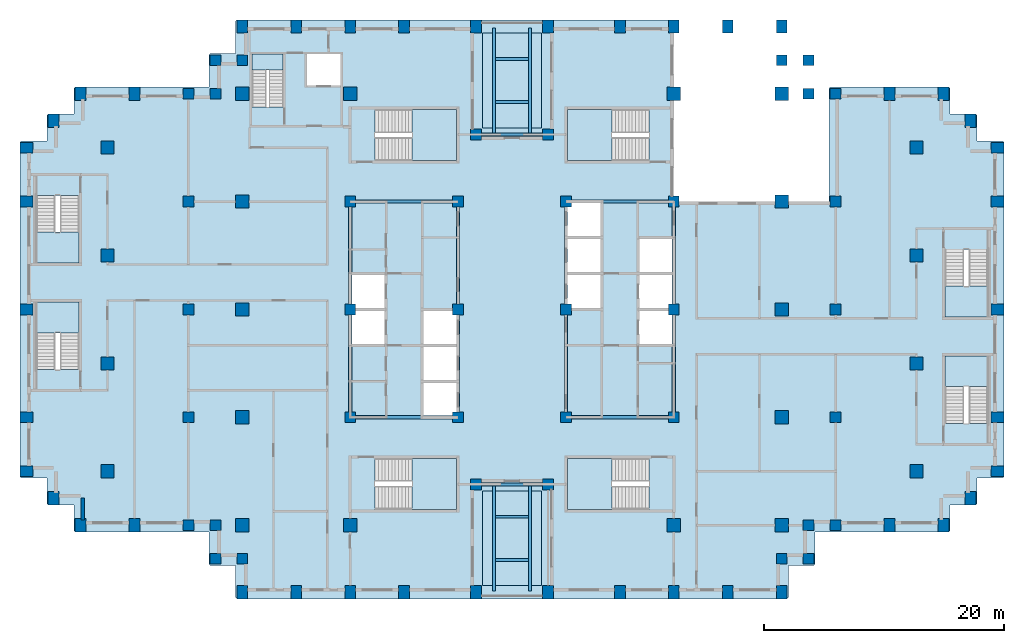
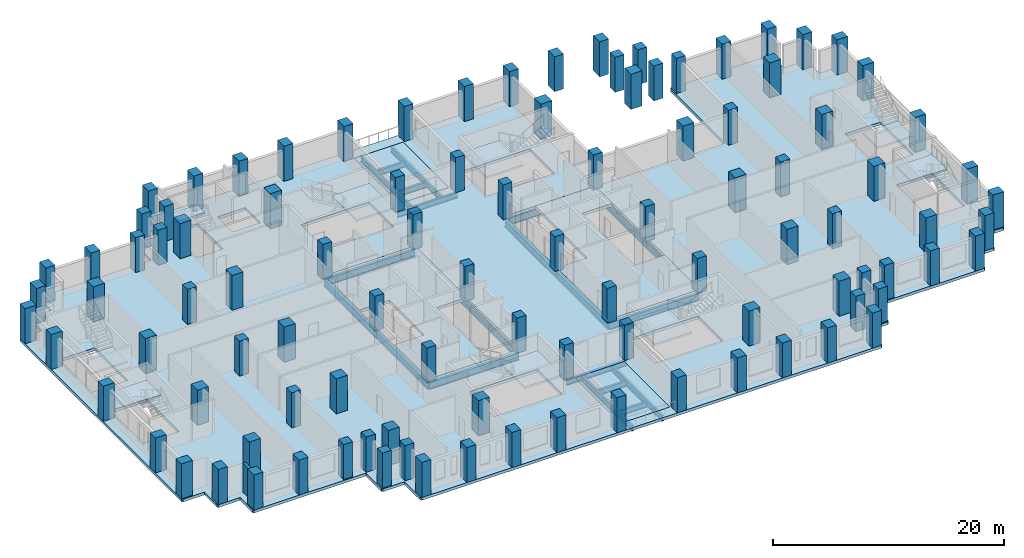
# One storey, part 1 of 12: 102 columns, 22 beams, 14 slabs, 1 wall, 9 elements without a shape of their own.
"""IFC4 building model written with IfcOpenShell, lengths in metres."""

from ifc_helpers import new_model, si_unit, direction, frame, frame_2d, origin, origin_2d, place, context, subcontext, project, spatial, polyline, rectangle, i_section, outline, extrude, material, layer, layer_set, material_profile, profile_set, type_object, element, aggregate, save


model = new_model("IFC4")

# Units and contexts
model_context = context("Model", 3, precision=1e-05, world=origin(), true_north=direction((0.0, 1.0)))
body_context = subcontext(model_context, "Body", "Model", "MODEL_VIEW")
ifc_project = project(units=[si_unit("LENGTHUNIT", "METRE"), si_unit("AREAUNIT", "SQUARE_METRE"), si_unit("VOLUMEUNIT", "CUBIC_METRE"), si_unit("PLANEANGLEUNIT", "RADIAN"), si_unit("MASSUNIT", "GRAM", prefix="KILO")], contexts=[model_context])

# Site, building, storey
site_placement = place(None, origin())
site = spatial("IfcSite", under=ifc_project, at=site_placement, CompositionType="ELEMENT")
building_placement = place(site_placement, origin())
building = spatial("IfcBuilding", under=site, at=building_placement, Name="Corbelhall Arena Tower", CompositionType="ELEMENT")
storey_placement = place(building_placement, frame((0.0, 0.0, 126.0)))
storey = spatial("IfcBuildingStorey", under=building, at=storey_placement, Name="L23", CompositionType="ELEMENT", Elevation=126.0)

# Columns
ifc_material_1 = material(Name="Concrete C80/95", Category="concrete")
ifc_material_profile_1 = material_profile(ifc_material_1, rectangle(XDim=1.10009765625, YDim=1.10009765625, at=origin_2d()))
ifc_profile_set_1 = profile_set([ifc_material_profile_1], Name="Concrete C80/95")
column_type_1 = type_object("IfcColumnType", Name="ST-COL-RC 1100x1100", PredefinedType="COLUMN", material=ifc_profile_set_1)
for number, where, z_axis, x_axis, name in (
    (1, (-33.75, 4.5, 0.0), (0.0, 0.0, 1.0), (1.0, 0.0, 0.0), "Column FIC+0450"),
    (2, (-33.75, 13.5, 0.0), (0.0, 0.0, 1.0), (1.0, 0.0, 0.0), "Column FIC+1350"),
    (3, (-33.75, -4.5, 0.0), (0.0, 0.0, 1.0), (1.0, 0.0, 0.0), "Column FIC-0450"),
    (4, (-33.75, -13.5, 0.0), (0.0, 0.0, 1.0), (1.0, 0.0, 0.0), "Column FIC-1350"),
    (5, (33.75, 4.5, 0.0), (0.0, 0.0, 1.0), (1.0, 0.0, 0.0), "Column FID+0450"),
    (6, (33.75, 13.5, 0.0), (0.0, 0.0, 1.0), (1.0, 0.0, 0.0), "Column FID+1350"),
    (7, (33.75, -4.5, 0.0), (0.0, 0.0, 1.0), (1.0, 0.0, 0.0), "Column FID-0450"),
    (8, (33.75, -13.5, 0.0), (0.0, 0.0, 1.0), (1.0, 0.0, 0.0), "Column FID-1350"),
    (9, (13.5, 18.0, 0.0), (0.0, 0.0, 1.0), (1.0, 0.0, 0.0), "Column IE13+1800"),
    (10, (13.5, -18.0, 0.0), (0.0, 0.0, 1.0), (1.0, 0.0, 0.0), "Column IE13-1800"),
    (11, (22.5, 0.0, 0.0), (0.0, 0.0, 1.0), (1.0, 0.0, 0.0), "Column IE22+0000"),
    (12, (22.5, 9.0, 0.0), (0.0, 0.0, 1.0), (1.0, 0.0, 0.0), "Column IE22+0900"),
    (13, (22.5, 18.0, 0.0), (0.0, 0.0, 1.0), (1.0, 0.0, 0.0), "Column IE22+1800"),
    (14, (22.5, -9.0, 0.0), (0.0, 0.0, 1.0), (1.0, 0.0, 0.0), "Column IE22-0900"),
    (15, (22.5, -18.0, 0.0), (0.0, 0.0, 1.0), (1.0, 0.0, 0.0), "Column IE22-1800"),
    (16, (-13.5, 18.0, 0.0), (0.0, 0.0, 1.0), (1.0, 0.0, 0.0), "Column IW13+1800"),
    (17, (-13.5, -18.0, 0.0), (0.0, 0.0, 1.0), (1.0, 0.0, 0.0), "Column IW13-1800"),
    (18, (-22.5, 0.0, 0.0), (0.0, 0.0, 1.0), (1.0, 0.0, 0.0), "Column IW22+0000"),
    (19, (-22.5, 9.0, 0.0), (0.0, 0.0, 1.0), (1.0, 0.0, 0.0), "Column IW22+0900"),
    (20, (-22.5, 18.0, 0.0), (0.0, 0.0, 1.0), (1.0, 0.0, 0.0), "Column IW22+1800"),
    (21, (-22.5, -9.0, 0.0), (0.0, 0.0, 1.0), (1.0, 0.0, 0.0), "Column IW22-0900"),
    (22, (-22.5, -18.0, 0.0), (0.0, 0.0, 1.0), (1.0, 0.0, 0.0), "Column IW22-1800"),
):
    element("IfcColumn", number, at=place(storey_placement, frame(where, z_axis=z_axis, x_axis=x_axis)), inside=storey, type_object=column_type_1, Name=name, PredefinedType="COLUMN", context=body_context, shape_type="SweptSolid", body=[
        extrude(rectangle(XDim=1.10009765625, YDim=1.10009765625, at=origin_2d()), origin(), (0.0, 0.0, 1.0), 3.699951171875),
    ])
ifc_material_profile_2 = material_profile(ifc_material_1, rectangle(XDim=0.89990234375, YDim=1.10009765625, at=origin_2d()))
ifc_profile_set_2 = profile_set([ifc_material_profile_2], Name="Concrete C80/95")
column_type_2 = type_object("IfcColumnType", Name="ST-COL-RC 900x1100", PredefinedType="COLUMN", material=ifc_profile_set_2)
for number, where, z_axis, x_axis, name in (
    (23, (-40.5, 0.0, 0.0), (0.0, 0.0, 1.0), (0.0, 1.0, 0.0), "Column FC+0000"),
    (24, (-40.5, 9.0, 0.0), (0.0, 0.0, 1.0), (0.0, 1.0, 0.0), "Column FC+0900"),
    (25, (-40.5, 13.5, 0.0), (0.0, 0.0, 1.0), (0.0, 1.0, 0.0), "Column FC+1350"),
    (26, (-40.5, -9.0, 0.0), (0.0, 0.0, 1.0), (0.0, 1.0, 0.0), "Column FC-0900"),
    (27, (-40.5, -13.5, 0.0), (0.0, 0.0, 1.0), (0.0, 1.0, 0.0), "Column FC-1350"),
    (28, (-38.25, 15.75, 0.0), (0.0, 0.0, 1.0), (1.0, 0.0, 0.0), "Column FCCN"),
    (29, (-38.25, -15.75, 0.0), (0.0, 0.0, 1.0), (1.0, 0.0, 0.0), "Column FCCS"),
    (30, (-31.5, 18.0, 0.0), (0.0, 0.0, 1.0), (1.0, 0.0, 0.0), "Column FCN3150"),
    (31, (-36.0, 18.0, 0.0), (0.0, 0.0, 1.0), (1.0, 0.0, 0.0), "Column FCN3600"),
    (32, (-31.5, -18.0, 0.0), (0.0, 0.0, 1.0), (1.0, 0.0, 0.0), "Column FCS3150"),
    (33, (-36.0, -18.0, 0.0), (0.0, 0.0, 1.0), (1.0, 0.0, 0.0), "Column FCS3600"),
    (34, (40.5, 0.0, 0.0), (0.0, 0.0, 1.0), (0.0, 1.0, 0.0), "Column FD+0000"),
    (35, (40.5, 9.0, 0.0), (0.0, 0.0, 1.0), (0.0, 1.0, 0.0), "Column FD+0900"),
    (36, (40.5, 13.5, 0.0), (0.0, 0.0, 1.0), (0.0, 1.0, 0.0), "Column FD+1350"),
    (37, (40.5, -9.0, 0.0), (0.0, 0.0, 1.0), (0.0, 1.0, 0.0), "Column FD-0900"),
    (38, (40.5, -13.5, 0.0), (0.0, 0.0, 1.0), (0.0, 1.0, 0.0), "Column FD-1350"),
    (39, (38.25, 15.75, 0.0), (0.0, 0.0, 1.0), (1.0, 0.0, 0.0), "Column FDCN"),
    (40, (38.25, -15.75, 0.0), (0.0, 0.0, 1.0), (1.0, 0.0, 0.0), "Column FDCS"),
    (41, (31.5, 18.0, 0.0), (0.0, 0.0, 1.0), (1.0, 0.0, 0.0), "Column FDN3150"),
    (42, (36.0, 18.0, 0.0), (0.0, 0.0, 1.0), (1.0, 0.0, 0.0), "Column FDN3600"),
    (43, (31.5, -18.0, 0.0), (0.0, 0.0, 1.0), (1.0, 0.0, 0.0), "Column FDS3150"),
    (44, (36.0, -18.0, 0.0), (0.0, 0.0, 1.0), (1.0, 0.0, 0.0), "Column FDS3600"),
    (45, (3.0, 23.60009765625, 0.0), (0.0, 0.0, 1.0), (1.0, 0.0, 0.0), "Column PNE0300"),
    (46, (9.0, 23.60009765625, 0.0), (0.0, 0.0, 1.0), (1.0, 0.0, 0.0), "Column PNE0900"),
    (47, (13.5, 23.60009765625, 0.0), (0.0, 0.0, 1.0), (1.0, 0.0, 0.0), "Column PNE1350"),
    (48, (18.0, 23.60009765625, 0.0), (0.0, 0.0, 1.0), (1.0, 0.0, 0.0), "Column PNE1800"),
    (49, (22.5, 23.60009765625, 0.0), (0.0, 0.0, 1.0), (1.0, 0.0, 0.0), "Column PNE2250"),
    (50, (-3.0, 23.60009765625, 0.0), (0.0, 0.0, 1.0), (1.0, 0.0, 0.0), "Column PNW0300"),
    (51, (-9.0, 23.60009765625, 0.0), (0.0, 0.0, 1.0), (1.0, 0.0, 0.0), "Column PNW0900"),
    (52, (-13.5, 23.60009765625, 0.0), (0.0, 0.0, 1.0), (1.0, 0.0, 0.0), "Column PNW1350"),
    (53, (-18.0, 23.60009765625, 0.0), (0.0, 0.0, 1.0), (1.0, 0.0, 0.0), "Column PNW1800"),
    (54, (-22.5, 23.60009765625, 0.0), (0.0, 0.0, 1.0), (1.0, 0.0, 0.0), "Column PNW2250"),
    (55, (3.0, -23.60009765625, 0.0), (0.0, 0.0, 1.0), (1.0, 0.0, 0.0), "Column PSE0300"),
    (56, (9.0, -23.60009765625, 0.0), (0.0, 0.0, 1.0), (1.0, 0.0, 0.0), "Column PSE0900"),
    (57, (13.5, -23.60009765625, 0.0), (0.0, 0.0, 1.0), (1.0, 0.0, 0.0), "Column PSE1350"),
    (58, (18.0, -23.60009765625, 0.0), (0.0, 0.0, 1.0), (1.0, 0.0, 0.0), "Column PSE1800"),
    (59, (22.5, -23.60009765625, 0.0), (0.0, 0.0, 1.0), (1.0, 0.0, 0.0), "Column PSE2250"),
    (60, (-3.0, -23.60009765625, 0.0), (0.0, 0.0, 1.0), (1.0, 0.0, 0.0), "Column PSW0300"),
    (61, (-9.0, -23.60009765625, 0.0), (0.0, 0.0, 1.0), (1.0, 0.0, 0.0), "Column PSW0900"),
    (62, (-13.5, -23.60009765625, 0.0), (0.0, 0.0, 1.0), (1.0, 0.0, 0.0), "Column PSW1350"),
    (63, (-18.0, -23.60009765625, 0.0), (0.0, 0.0, 1.0), (1.0, 0.0, 0.0), "Column PSW1800"),
    (64, (-22.5, -23.60009765625, 0.0), (0.0, 0.0, 1.0), (1.0, 0.0, 0.0), "Column PSW2250"),
):
    element("IfcColumn", number, at=place(storey_placement, frame(where, z_axis=z_axis, x_axis=x_axis)), inside=storey, type_object=column_type_2, Name=name, PredefinedType="COLUMN", context=body_context, shape_type="SweptSolid", body=[
        extrude(rectangle(XDim=0.89990234375, YDim=1.10009765625, at=origin_2d()), origin(), (0.0, 0.0, 1.0), 3.699951171875),
    ])
ifc_material_profile_3 = material_profile(ifc_material_1, rectangle(XDim=0.89990234375, YDim=0.89990234375, at=origin_2d()))
ifc_profile_set_3 = profile_set([ifc_material_profile_3], Name="Concrete C80/95")
column_type_3 = type_object("IfcColumnType", Name="ST-COL-RC 900x900", PredefinedType="COLUMN", material=ifc_profile_set_3)
for number, where, z_axis, x_axis, name in (
    (65, (4.5, 0.0, 0.0), (0.0, 0.0, 1.0), (1.0, 0.0, 0.0), "Column KE+0450+0000"),
    (66, (4.5, 9.0, 0.0), (0.0, 0.0, 1.0), (1.0, 0.0, 0.0), "Column KE+0450+0900"),
    (67, (4.5, -9.0, 0.0), (0.0, 0.0, 1.0), (1.0, 0.0, 0.0), "Column KE+0450-0900"),
    (68, (13.5, 0.0, 0.0), (0.0, 0.0, 1.0), (1.0, 0.0, 0.0), "Column KE+1350+0000"),
    (69, (13.5, 9.0, 0.0), (0.0, 0.0, 1.0), (1.0, 0.0, 0.0), "Column KE+1350+0900"),
    (70, (13.5, -9.0, 0.0), (0.0, 0.0, 1.0), (1.0, 0.0, 0.0), "Column KE+1350-0900"),
    (71, (-4.5, 0.0, 0.0), (0.0, 0.0, 1.0), (1.0, 0.0, 0.0), "Column KW-0450+0000"),
    (72, (-4.5, 9.0, 0.0), (0.0, 0.0, 1.0), (1.0, 0.0, 0.0), "Column KW-0450+0900"),
    (73, (-4.5, -9.0, 0.0), (0.0, 0.0, 1.0), (1.0, 0.0, 0.0), "Column KW-0450-0900"),
    (74, (-13.5, 0.0, 0.0), (0.0, 0.0, 1.0), (1.0, 0.0, 0.0), "Column KW-1350+0000"),
    (75, (-13.5, 9.0, 0.0), (0.0, 0.0, 1.0), (1.0, 0.0, 0.0), "Column KW-1350+0900"),
    (76, (-13.5, -9.0, 0.0), (0.0, 0.0, 1.0), (1.0, 0.0, 0.0), "Column KW-1350-0900"),
    (77, (27.0, 0.0, 0.0), (0.0, 0.0, 1.0), (1.0, 0.0, 0.0), "Column PE+0000"),
    (78, (27.0, 9.0, 0.0), (0.0, 0.0, 1.0), (1.0, 0.0, 0.0), "Column PE+0900"),
    (79, (27.0, 18.0, 0.0), (0.0, 0.0, 1.0), (1.0, 0.0, 0.0), "Column PE+1800"),
    (80, (27.0, -9.0, 0.0), (0.0, 0.0, 1.0), (1.0, 0.0, 0.0), "Column PE-0900"),
    (81, (27.0, -18.0, 0.0), (0.0, 0.0, 1.0), (1.0, 0.0, 0.0), "Column PE-1800"),
    (82, (-27.0, 0.0, 0.0), (0.0, 0.0, 1.0), (1.0, 0.0, 0.0), "Column PW+0000"),
    (83, (-27.0, 9.0, 0.0), (0.0, 0.0, 1.0), (1.0, 0.0, 0.0), "Column PW+0900"),
    (84, (-27.0, 18.0, 0.0), (0.0, 0.0, 1.0), (1.0, 0.0, 0.0), "Column PW+1800"),
    (85, (-27.0, -9.0, 0.0), (0.0, 0.0, 1.0), (1.0, 0.0, 0.0), "Column PW-0900"),
    (86, (-27.0, -18.0, 0.0), (0.0, 0.0, 1.0), (1.0, 0.0, 0.0), "Column PW-1800"),
    (87, (3.0, 14.60009765625, 0.0), (0.0, 0.0, 1.0), (1.0, 0.0, 0.0), "Column SLNE2"),
    (88, (-3.0, 14.60009765625, 0.0), (0.0, 0.0, 1.0), (1.0, 0.0, 0.0), "Column SLNW2"),
    (89, (3.0, -14.60009765625, 0.0), (0.0, 0.0, 1.0), (1.0, 0.0, 0.0), "Column SLSE2"),
    (90, (-3.0, -14.60009765625, 0.0), (0.0, 0.0, 1.0), (1.0, 0.0, 0.0), "Column SLSW2"),
    (91, (22.5, 20.800048828125, 0.0), (0.0, 0.0, 1.0), (1.0, 0.0, 0.0), "Column XNE1"),
    (92, (24.75, 20.800048828125, 0.0), (0.0, 0.0, 1.0), (1.0, 0.0, 0.0), "Column XNE2"),
    (93, (24.75, 18.0, 0.0), (0.0, 0.0, 1.0), (1.0, 0.0, 0.0), "Column XNE3"),
    (94, (-22.5, 20.800048828125, 0.0), (0.0, 0.0, 1.0), (1.0, 0.0, 0.0), "Column XNW1"),
    (95, (-24.75, 20.800048828125, 0.0), (0.0, 0.0, 1.0), (1.0, 0.0, 0.0), "Column XNW2"),
    (96, (-24.75, 18.0, 0.0), (0.0, 0.0, 1.0), (1.0, 0.0, 0.0), "Column XNW3"),
    (97, (22.5, -20.800048828125, 0.0), (0.0, 0.0, 1.0), (1.0, 0.0, 0.0), "Column XSE1"),
    (98, (24.75, -20.800048828125, 0.0), (0.0, 0.0, 1.0), (1.0, 0.0, 0.0), "Column XSE2"),
    (99, (24.75, -18.0, 0.0), (0.0, 0.0, 1.0), (1.0, 0.0, 0.0), "Column XSE3"),
    (100, (-22.5, -20.800048828125, 0.0), (0.0, 0.0, 1.0), (1.0, 0.0, 0.0), "Column XSW1"),
    (101, (-24.75, -20.800048828125, 0.0), (0.0, 0.0, 1.0), (1.0, 0.0, 0.0), "Column XSW2"),
    (102, (-24.75, -18.0, 0.0), (0.0, 0.0, 1.0), (1.0, 0.0, 0.0), "Column XSW3"),
):
    element("IfcColumn", number, at=place(storey_placement, frame(where, z_axis=z_axis, x_axis=x_axis)), inside=storey, type_object=column_type_3, Name=name, PredefinedType="COLUMN", context=body_context, shape_type="SweptSolid", body=[
        extrude(rectangle(XDim=0.89990234375, YDim=0.89990234375, at=origin_2d()), origin(), (0.0, 0.0, 1.0), 3.699951171875),
    ])

# Beams
ifc_material_2 = material(Name="Steel ASTM A992 Gr50", Category="steel")
ifc_material_profile_4 = material_profile(ifc_material_2, i_section(OverallWidth=0.22900390625, OverallDepth=0.612060546875, WebThickness=0.011962890625, FlangeThickness=0.01953125, at=origin_2d()))
ifc_profile_set_4 = profile_set([ifc_material_profile_4], Name="Steel ASTM A992 Gr50")
beam_type_1 = type_object("IfcBeamType", Name="ST-BEAM-W24x84", PredefinedType="BEAM", material=ifc_profile_set_4)
beam_1_placement = place(storey_placement, frame((-3.0, 14.60009765625, -0.60595703125), z_axis=(1.0, 0.0, 0.0), x_axis=(0.0, 1.0, 0.0)))
element("IfcBeam", 103, at=beam_1_placement, inside=storey, type_object=beam_type_1, Name="Beam SFN 1", PredefinedType="BEAM", context=body_context, shape_type="SweptSolid", body=[
    extrude(i_section(OverallWidth=0.22900390625, OverallDepth=0.612060546875, WebThickness=0.011962890625, FlangeThickness=0.01953125, at=origin_2d()), origin(), (0.0, 0.0, 1.0), 6.0),
])
for number, where, z_axis, x_axis, name in (
    (104, (-1.5, 14.714599609375, -0.60595703125), (0.0, 1.0, 0.0), (-1.0, 0.0, 0.0), "Beam SFN 2"),
    (105, (1.5, 14.714599609375, -0.60595703125), (0.0, 1.0, 0.0), (-1.0, 0.0, 0.0), "Beam SFN 3"),
):
    element("IfcBeam", number, at=place(storey_placement, frame(where, z_axis=z_axis, x_axis=x_axis)), inside=storey, type_object=beam_type_1, Name=name, PredefinedType="BEAM", context=body_context, shape_type="SweptSolid", body=[
        extrude(i_section(OverallWidth=0.22900390625, OverallDepth=0.612060546875, WebThickness=0.011962890625, FlangeThickness=0.01953125, at=origin_2d()), origin(), (0.0, 0.0, 1.0), 8.770751953125),
    ])
for number, where, z_axis, x_axis, name in (
    (106, (-1.385498046875, 17.300048828125, -0.60595703125), (1.0, 0.0, 0.0), (0.0, 1.0, 0.0), "Beam SFN 4"),
    (107, (-1.385498046875, 20.89990234375, -0.60595703125), (1.0, 0.0, 0.0), (0.0, 1.0, 0.0), "Beam SFN 5"),
):
    element("IfcBeam", number, at=place(storey_placement, frame(where, z_axis=z_axis, x_axis=x_axis)), inside=storey, type_object=beam_type_1, Name=name, PredefinedType="BEAM", context=body_context, shape_type="SweptSolid", body=[
        extrude(i_section(OverallWidth=0.22900390625, OverallDepth=0.612060546875, WebThickness=0.011962890625, FlangeThickness=0.01953125, at=origin_2d()), origin(), (0.0, 0.0, 1.0), 2.77099609375),
    ])
beam_2_placement = place(storey_placement, frame((-3.0, -14.60009765625, -0.60595703125), z_axis=(1.0, 0.0, 0.0), x_axis=(0.0, 1.0, 0.0)))
element("IfcBeam", 108, at=beam_2_placement, inside=storey, type_object=beam_type_1, Name="Beam SFS 1", PredefinedType="BEAM", context=body_context, shape_type="SweptSolid", body=[
    extrude(i_section(OverallWidth=0.22900390625, OverallDepth=0.612060546875, WebThickness=0.011962890625, FlangeThickness=0.01953125, at=origin_2d()), origin(), (0.0, 0.0, 1.0), 6.0),
])
for number, where, z_axis, x_axis, name in (
    (109, (-1.5, -14.714599609375, -0.60595703125), (0.0, -1.0, 0.0), (1.0, 0.0, 0.0), "Beam SFS 2"),
    (110, (1.5, -14.714599609375, -0.60595703125), (0.0, -1.0, 0.0), (1.0, 0.0, 0.0), "Beam SFS 3"),
):
    element("IfcBeam", number, at=place(storey_placement, frame(where, z_axis=z_axis, x_axis=x_axis)), inside=storey, type_object=beam_type_1, Name=name, PredefinedType="BEAM", context=body_context, shape_type="SweptSolid", body=[
        extrude(i_section(OverallWidth=0.22900390625, OverallDepth=0.612060546875, WebThickness=0.011962890625, FlangeThickness=0.01953125, at=origin_2d()), origin(), (0.0, 0.0, 1.0), 8.770751953125),
    ])
for number, where, z_axis, x_axis, name in (
    (111, (-1.385498046875, -17.300048828125, -0.60595703125), (1.0, 0.0, 0.0), (0.0, 1.0, 0.0), "Beam SFS 4"),
    (112, (-1.385498046875, -20.89990234375, -0.60595703125), (1.0, 0.0, 0.0), (0.0, 1.0, 0.0), "Beam SFS 5"),
):
    element("IfcBeam", number, at=place(storey_placement, frame(where, z_axis=z_axis, x_axis=x_axis)), inside=storey, type_object=beam_type_1, Name=name, PredefinedType="BEAM", context=body_context, shape_type="SweptSolid", body=[
        extrude(i_section(OverallWidth=0.22900390625, OverallDepth=0.612060546875, WebThickness=0.011962890625, FlangeThickness=0.01953125, at=origin_2d()), origin(), (0.0, 0.0, 1.0), 2.77099609375),
    ])
ifc_material_profile_5 = material_profile(ifc_material_2, i_section(OverallWidth=0.2666015625, OverallDepth=0.761962890625, WebThickness=0.014404296875, FlangeThickness=0.021484375, at=origin_2d()))
ifc_profile_set_5 = profile_set([ifc_material_profile_5], Name="Steel ASTM A992 Gr50")
beam_type_2 = type_object("IfcBeamType", Name="ST-BEAM-W30x116", PredefinedType="BEAM", material=ifc_profile_set_5)
for number, where, z_axis, x_axis, name in (
    (113, (-13.5, -9.0, -0.680908203125), (0.0, 1.0, 0.0), (-1.0, 0.0, 0.0), "Beam CEW 1"),
    (114, (-13.5, 0.0, -0.680908203125), (0.0, 1.0, 0.0), (-1.0, 0.0, 0.0), "Beam CEW 2"),
    (115, (-4.5, -9.0, -0.680908203125), (0.0, 1.0, 0.0), (-1.0, 0.0, 0.0), "Beam CEW 3"),
    (116, (-4.5, 0.0, -0.680908203125), (0.0, 1.0, 0.0), (-1.0, 0.0, 0.0), "Beam CEW 4"),
    (117, (-13.5, -9.0, -0.680908203125), (1.0, 0.0, 0.0), (0.0, 1.0, 0.0), "Beam CEW 5"),
    (118, (-13.5, 9.0, -0.680908203125), (1.0, 0.0, 0.0), (0.0, 1.0, 0.0), "Beam CEW 6"),
    (119, (4.5, -9.0, -0.680908203125), (0.0, 1.0, 0.0), (-1.0, 0.0, 0.0), "Beam CEE 7"),
    (120, (4.5, 0.0, -0.680908203125), (0.0, 1.0, 0.0), (-1.0, 0.0, 0.0), "Beam CEE 8"),
    (121, (13.5, -9.0, -0.680908203125), (0.0, 1.0, 0.0), (-1.0, 0.0, 0.0), "Beam CEE 9"),
    (122, (13.5, 0.0, -0.680908203125), (0.0, 1.0, 0.0), (-1.0, 0.0, 0.0), "Beam CEE 10"),
    (123, (4.5, -9.0, -0.680908203125), (1.0, 0.0, 0.0), (0.0, 1.0, 0.0), "Beam CEE 11"),
    (124, (4.5, 9.0, -0.680908203125), (1.0, 0.0, 0.0), (0.0, 1.0, 0.0), "Beam CEE 12"),
):
    element("IfcBeam", number, at=place(storey_placement, frame(where, z_axis=z_axis, x_axis=x_axis)), inside=storey, type_object=beam_type_2, Name=name, PredefinedType="BEAM", context=body_context, shape_type="SweptSolid", body=[
        extrude(i_section(OverallWidth=0.2666015625, OverallDepth=0.761962890625, WebThickness=0.014404296875, FlangeThickness=0.021484375, at=origin_2d()), origin(), (0.0, 0.0, 1.0), 9.0),
    ])

# Slabs
ifc_material_3 = material(Name="Concrete C40/50", Category="concrete")
ifc_layer_1 = layer(ifc_material_3, 0.300048828125)
ifc_layer_set_1 = layer_set([ifc_layer_1], Name="IN-SL-CORE")
slab_type_1 = type_object("IfcSlabType", Name="IN-SL-CORE", PredefinedType="FLOOR", material=ifc_layer_set_1)
slab_1_placement = place(storey_placement, frame((0.0, 0.0, -0.300048828125)))
element("IfcSlab", 125, at=slab_1_placement, inside=storey, type_object=slab_type_1, Name="Core floor W", PredefinedType="FLOOR", context=body_context, shape_type="SweptSolid", body=[
    extrude(outline(polyline([(-7.5, 0.0), (-4.5, 0.0), (-4.5, 9.0), (-13.5, 9.0), (-13.5, 3.0), (-10.5, 3.0), (-10.5, 0.0), (-10.5, -3.0), (-13.5, -3.0), (-13.5, -9.0), (-7.5, -9.0), (-7.5, -6.0), (-7.5, -3.0), (-7.5, 0.0)])), origin(), (0.0, 0.0, 1.0), 0.300048828125),
])
slab_2_placement = place(storey_placement, frame((0.0, 0.0, -0.300048828125)))
element("IfcSlab", 126, at=slab_2_placement, inside=storey, type_object=slab_type_1, Name="Core floor E", PredefinedType="FLOOR", context=body_context, shape_type="SweptSolid", body=[
    extrude(outline(polyline([(7.5, 0.0), (4.5, 0.0), (4.5, -9.0), (13.5, -9.0), (13.5, -3.0), (10.5, -3.0), (10.5, 0.0), (10.5, 3.0), (10.5, 6.0), (13.5, 6.0), (13.5, 9.0), (7.5, 9.0), (7.5, 6.0), (7.5, 3.0), (7.5, 0.0)])), origin(), (0.0, 0.0, 1.0), 0.300048828125),
])

# Stair, slab
stair_type = type_object("IfcStairType", Name="IN-ST-TOWER", PredefinedType="HALF_TURN_STAIR", material=ifc_material_3)
stair_1_placement = place(storey_placement, origin())
stair_1 = element("IfcStair", 127, at=stair_1_placement, inside=storey, type_object=stair_type, Name="L23 Exit stair ST1", PredefinedType="HALF_TURN_STAIR")
ifc_layer_2 = layer(ifc_material_3, 0.199951171875)
ifc_layer_set_2 = layer_set([ifc_layer_2], Name="IN-SL-LANDING")
slab_type_2 = type_object("IfcSlabType", Name="IN-SL-LANDING", PredefinedType="LANDING", material=ifc_layer_set_2)
slab_3_placement = place(storey_placement, frame((0.0, 0.0, 1.800048828125)))
slab_3 = element("IfcSlab", 128, at=slab_3_placement, type_object=slab_type_2, Name="ST1 landing 1", PredefinedType="LANDING", context=body_context, shape_type="SweptSolid", body=[
    extrude(outline(polyline([(-8.344970703125, 12.425048828125), (-4.625, 12.425048828125), (-4.625, 16.675048828125), (-8.344970703125, 16.675048828125), (-8.344970703125, 12.425048828125)])), origin(), (0.0, 0.0, 1.0), 0.199951171875),
])
aggregate(stair_1, [slab_3])

stair_2_placement = place(storey_placement, origin())
stair_2 = element("IfcStair", 129, at=stair_2_placement, inside=storey, type_object=stair_type, Name="L23 Exit stair ST2", PredefinedType="HALF_TURN_STAIR")
slab_4_placement = place(storey_placement, frame((0.0, 0.0, 1.800048828125)))
slab_4 = element("IfcSlab", 130, at=slab_4_placement, type_object=slab_type_2, Name="ST2 landing 1", PredefinedType="LANDING", context=body_context, shape_type="SweptSolid", body=[
    extrude(outline(polyline([(-8.344970703125, -16.675048828125), (-4.625, -16.675048828125), (-4.625, -12.425048828125), (-8.344970703125, -12.425048828125), (-8.344970703125, -16.675048828125)])), origin(), (0.0, 0.0, 1.0), 0.199951171875),
])
aggregate(stair_2, [slab_4])

stair_3_placement = place(storey_placement, origin())
stair_3 = element("IfcStair", 131, at=stair_3_placement, inside=storey, type_object=stair_type, Name="L23 Exit stair ST3", PredefinedType="HALF_TURN_STAIR")
slab_5_placement = place(storey_placement, frame((0.0, 0.0, 1.800048828125)))
slab_5 = element("IfcSlab", 132, at=slab_5_placement, type_object=slab_type_2, Name="ST3 landing 1", PredefinedType="LANDING", context=body_context, shape_type="SweptSolid", body=[
    extrude(outline(polyline([(8.344970703125, 16.675048828125), (4.625, 16.675048828125), (4.625, 12.425048828125), (8.344970703125, 12.425048828125), (8.344970703125, 16.675048828125)])), origin(), (0.0, 0.0, 1.0), 0.199951171875),
])
aggregate(stair_3, [slab_5])

stair_4_placement = place(storey_placement, origin())
stair_4 = element("IfcStair", 133, at=stair_4_placement, inside=storey, type_object=stair_type, Name="L23 Exit stair ST4", PredefinedType="HALF_TURN_STAIR")
slab_6_placement = place(storey_placement, frame((0.0, 0.0, 1.800048828125)))
slab_6 = element("IfcSlab", 134, at=slab_6_placement, type_object=slab_type_2, Name="ST4 landing 1", PredefinedType="LANDING", context=body_context, shape_type="SweptSolid", body=[
    extrude(outline(polyline([(8.344970703125, -12.425048828125), (4.625, -12.425048828125), (4.625, -16.675048828125), (8.344970703125, -16.675048828125), (8.344970703125, -12.425048828125)])), origin(), (0.0, 0.0, 1.0), 0.199951171875),
])
aggregate(stair_4, [slab_6])

stair_5_placement = place(storey_placement, origin())
stair_5 = element("IfcStair", 135, at=stair_5_placement, inside=storey, type_object=stair_type, Name="L23 Exit stair SC1", PredefinedType="HALF_TURN_STAIR")
slab_7_placement = place(storey_placement, frame((0.0, 0.0, 1.800048828125)))
slab_7 = element("IfcSlab", 136, at=slab_7_placement, type_object=slab_type_2, Name="SC1 landing 1", PredefinedType="LANDING", context=body_context, shape_type="SweptSolid", body=[
    extrude(outline(polyline([(-39.699951171875, 6.445068359375), (-39.699951171875, 3.875), (-36.125, 3.875), (-36.125, 6.445068359375), (-39.699951171875, 6.445068359375)])), origin(), (0.0, 0.0, 1.0), 0.199951171875),
])
aggregate(stair_5, [slab_7])

stair_6_placement = place(storey_placement, origin())
stair_6 = element("IfcStair", 137, at=stair_6_placement, inside=storey, type_object=stair_type, Name="L23 Exit stair SC2", PredefinedType="HALF_TURN_STAIR")
slab_8_placement = place(storey_placement, frame((0.0, 0.0, 1.800048828125)))
slab_8 = element("IfcSlab", 138, at=slab_8_placement, type_object=slab_type_2, Name="SC2 landing 1", PredefinedType="LANDING", context=body_context, shape_type="SweptSolid", body=[
    extrude(outline(polyline([(-36.125, -1.945068359375), (-36.125, 0.625), (-39.699951171875, 0.625), (-39.699951171875, -1.945068359375), (-36.125, -1.945068359375)])), origin(), (0.0, 0.0, 1.0), 0.199951171875),
])
aggregate(stair_6, [slab_8])

stair_7_placement = place(storey_placement, origin())
stair_7 = element("IfcStair", 139, at=stair_7_placement, inside=storey, type_object=stair_type, Name="L23 Exit stair SD1", PredefinedType="HALF_TURN_STAIR")
slab_9_placement = place(storey_placement, frame((0.0, 0.0, 1.800048828125)))
slab_9 = element("IfcSlab", 140, at=slab_9_placement, type_object=slab_type_2, Name="SD1 landing 1", PredefinedType="LANDING", context=body_context, shape_type="SweptSolid", body=[
    extrude(outline(polyline([(39.699951171875, -6.445068359375), (39.699951171875, -3.875), (36.125, -3.875), (36.125, -6.445068359375), (39.699951171875, -6.445068359375)])), origin(), (0.0, 0.0, 1.0), 0.199951171875),
])
aggregate(stair_7, [slab_9])

stair_8_placement = place(storey_placement, origin())
stair_8 = element("IfcStair", 141, at=stair_8_placement, inside=storey, type_object=stair_type, Name="L23 Exit stair SD2", PredefinedType="HALF_TURN_STAIR")
slab_10_placement = place(storey_placement, frame((0.0, 0.0, 1.800048828125)))
slab_10 = element("IfcSlab", 142, at=slab_10_placement, type_object=slab_type_2, Name="SD2 landing 1", PredefinedType="LANDING", context=body_context, shape_type="SweptSolid", body=[
    extrude(outline(polyline([(36.125, 1.945068359375), (36.125, -0.625), (39.699951171875, -0.625), (39.699951171875, 1.945068359375), (36.125, 1.945068359375)])), origin(), (0.0, 0.0, 1.0), 0.199951171875),
])
aggregate(stair_8, [slab_10])

stair_9_placement = place(storey_placement, origin())
stair_9 = element("IfcStair", 143, at=stair_9_placement, inside=storey, type_object=stair_type, Name="L23 Exit stair ST5", PredefinedType="HALF_TURN_STAIR")
slab_11_placement = place(storey_placement, frame((0.0, 0.0, 1.800048828125)))
slab_11 = element("IfcSlab", 144, at=slab_11_placement, type_object=slab_type_2, Name="ST5 landing 1", PredefinedType="LANDING", context=body_context, shape_type="SweptSolid", body=[
    extrude(outline(polyline([(-19.094970703125, 19.97998046875), (-19.094970703125, 21.300048828125), (-21.695068359375, 21.300048828125), (-21.695068359375, 19.97998046875), (-19.094970703125, 19.97998046875)])), origin(), (0.0, 0.0, 1.0), 0.199951171875),
])
aggregate(stair_9, [slab_11])

# Slabs
ifc_layer_3 = layer(ifc_material_3, 0.300048828125)
ifc_layer_set_3 = layer_set([ifc_layer_3], Name="ST-SLAB-FLOOR-300")
slab_type_3 = type_object("IfcSlabType", Name="ST-SLAB-FLOOR-300", PredefinedType="FLOOR", material=ifc_layer_set_3)
slab_12_placement = place(storey_placement, frame((0.0, 0.0, -0.300048828125)))
element("IfcSlab", 145, at=slab_12_placement, inside=storey, type_object=slab_type_3, Name="Floor slab L23 1", PredefinedType="FLOOR", context=body_context, shape_type="SweptSolid", body=[
    extrude(outline(polyline([(41.050048828125, -13.949951171875), (41.050048828125, 13.949951171875), (40.949951171875, 14.050048828125), (38.800048828125, 14.050048828125), (38.800048828125, 16.199951171875), (38.699951171875, 16.300048828125), (36.550048828125, 16.300048828125), (36.550048828125, 18.449951171875), (36.449951171875, 18.550048828125), (26.550048828125, 18.550048828125), (26.449951171875, 18.449951171875), (26.449951171875, 9.0), (13.5, 9.0), (13.5, 24.14990234375), (-22.949951171875, 24.14990234375), (-23.050048828125, 24.050048828125), (-23.050048828125, 21.35009765625), (-25.199951171875, 21.35009765625), (-25.300048828125, 21.25), (-25.300048828125, 18.550048828125), (-36.449951171875, 18.550048828125), (-36.550048828125, 18.449951171875), (-36.550048828125, 16.300048828125), (-38.699951171875, 16.300048828125), (-38.800048828125, 16.199951171875), (-38.800048828125, 14.050048828125), (-40.949951171875, 14.050048828125), (-41.050048828125, 13.949951171875), (-41.050048828125, -13.949951171875), (-40.949951171875, -14.050048828125), (-38.800048828125, -14.050048828125), (-38.800048828125, -16.199951171875), (-38.699951171875, -16.300048828125), (-36.550048828125, -16.300048828125), (-36.550048828125, -18.449951171875), (-36.449951171875, -18.550048828125), (-25.300048828125, -18.550048828125), (-25.300048828125, -21.25), (-25.199951171875, -21.35009765625), (-23.050048828125, -21.35009765625), (-23.050048828125, -24.050048828125), (-22.949951171875, -24.14990234375), (22.949951171875, -24.14990234375), (23.050048828125, -24.050048828125), (23.050048828125, -21.35009765625), (25.199951171875, -21.35009765625), (25.300048828125, -21.25), (25.300048828125, -18.550048828125), (36.449951171875, -18.550048828125), (36.550048828125, -18.449951171875), (36.550048828125, -16.300048828125), (38.699951171875, -16.300048828125), (38.800048828125, -16.199951171875), (38.800048828125, -14.050048828125), (40.949951171875, -14.050048828125), (41.050048828125, -13.949951171875)]), holes=[polyline([(4.501220703125, 8.997314453125), (4.501220703125, -8.997314453125), (13.498779296875, -8.997314453125), (13.498779296875, 8.997314453125), (4.501220703125, 8.997314453125)]), polyline([(2.449951171875, -15.14990234375), (-2.449951171875, -15.14990234375), (-2.449951171875, -23.050048828125), (2.449951171875, -23.050048828125), (2.449951171875, -15.14990234375)]), polyline([(-2.449951171875, 23.050048828125), (-2.449951171875, 15.14990234375), (2.449951171875, 15.14990234375), (2.449951171875, 23.050048828125), (-2.449951171875, 23.050048828125)]), polyline([(-13.5, 9.0), (-13.5, -9.0), (-4.5, -9.0), (-4.5, 9.0), (-13.5, 9.0)]), polyline([(-4.625, 16.675048828125), (-11.422119140625, 16.675048828125), (-11.422119140625, 12.425048828125), (-4.625, 12.425048828125), (-4.625, 16.675048828125)]), polyline([(-4.625, -16.675048828125), (-4.625, -12.425048828125), (-11.422119140625, -12.425048828125), (-11.422119140625, -16.675048828125), (-4.625, -16.675048828125)]), polyline([(11.422119140625, 16.675048828125), (4.625, 16.675048828125), (4.625, 12.425048828125), (11.422119140625, 12.425048828125), (11.422119140625, 16.675048828125)]), polyline([(11.422119140625, -16.675048828125), (11.422119140625, -12.425048828125), (4.625, -12.425048828125), (4.625, -16.675048828125), (11.422119140625, -16.675048828125)]), polyline([(-36.125, 3.875), (-36.125, 9.52197265625), (-39.699951171875, 9.52197265625), (-39.699951171875, 3.875), (-36.125, 3.875)]), polyline([(-36.125, 0.625), (-39.699951171875, 0.625), (-39.699951171875, -5.02197265625), (-36.125, -5.02197265625), (-36.125, 0.625)]), polyline([(39.699951171875, -9.52197265625), (39.699951171875, -3.875), (36.125, -3.875), (36.125, -9.52197265625), (39.699951171875, -9.52197265625)]), polyline([(39.699951171875, 5.02197265625), (36.125, 5.02197265625), (36.125, -0.625), (39.699951171875, -0.625), (39.699951171875, 5.02197265625)]), polyline([(-21.695068359375, 21.300048828125), (-21.695068359375, 16.903076171875), (-19.094970703125, 16.903076171875), (-19.094970703125, 21.300048828125), (-21.695068359375, 21.300048828125)]), polyline([(-14.300048828125, 21.300048828125), (-17.10009765625, 21.300048828125), (-17.10009765625, 18.699951171875), (-14.300048828125, 18.699951171875), (-14.300048828125, 21.300048828125)])]), origin(), (0.0, 0.0, 1.0), 0.300048828125),
])
slab_13_placement = place(storey_placement, frame((0.0, 0.0, -0.300048828125)))
element("IfcSlab", 146, at=slab_13_placement, inside=storey, type_object=slab_type_3, Name="Terrace slab T-Z2-SLOT-N", PredefinedType="FLOOR", context=body_context, shape_type="SweptSolid", body=[
    extrude(outline(polyline([(2.449951171875, 15.14990234375), (2.449951171875, 23.050048828125), (-2.449951171875, 23.050048828125), (-2.449951171875, 15.14990234375), (2.449951171875, 15.14990234375)])), origin(), (0.0, 0.0, 1.0), 0.300048828125),
])
slab_14_placement = place(storey_placement, frame((0.0, 0.0, -0.300048828125)))
element("IfcSlab", 147, at=slab_14_placement, inside=storey, type_object=slab_type_3, Name="Terrace slab T-Z2-SLOT-S", PredefinedType="FLOOR", context=body_context, shape_type="SweptSolid", body=[
    extrude(outline(polyline([(2.449951171875, -23.050048828125), (2.449951171875, -15.14990234375), (-2.449951171875, -15.14990234375), (-2.449951171875, -23.050048828125), (2.449951171875, -23.050048828125)])), origin(), (0.0, 0.0, 1.0), 0.300048828125),
])

# Wall
ifc_material_4 = material(Name="Precast concrete C40/50 with granite facing", Category="masonry")
ifc_layer_4 = layer(ifc_material_4, 0.300048828125)
ifc_layer_set_4 = layer_set([ifc_layer_4], Name="EV-IW1 Infill panel 300")
wall_type = type_object("IfcWallType", Name="EV-IW1 Infill panel 300", PredefinedType="SOLIDWALL", material=ifc_layer_set_4)
wall_placement = place(storey_placement, frame((-35.800048828125, -17.550048828125, 0.0), z_axis=(0.0, 0.0, 1.0), x_axis=(0.0, 1.0, 0.0)))
element("IfcWall", 148, at=wall_placement, inside=storey, type_object=wall_type, Name="Infill panel IW1", PredefinedType="SOLIDWALL", context=body_context, shape_type="SweptSolid", body=[
    extrude(rectangle(XDim=1.800048828125, YDim=0.300048828125, at=frame_2d((0.89990234375, 0.0))), origin(), (0.0, 0.0, 1.0), 3.10009765625),
])

save(model, "model.ifc")
